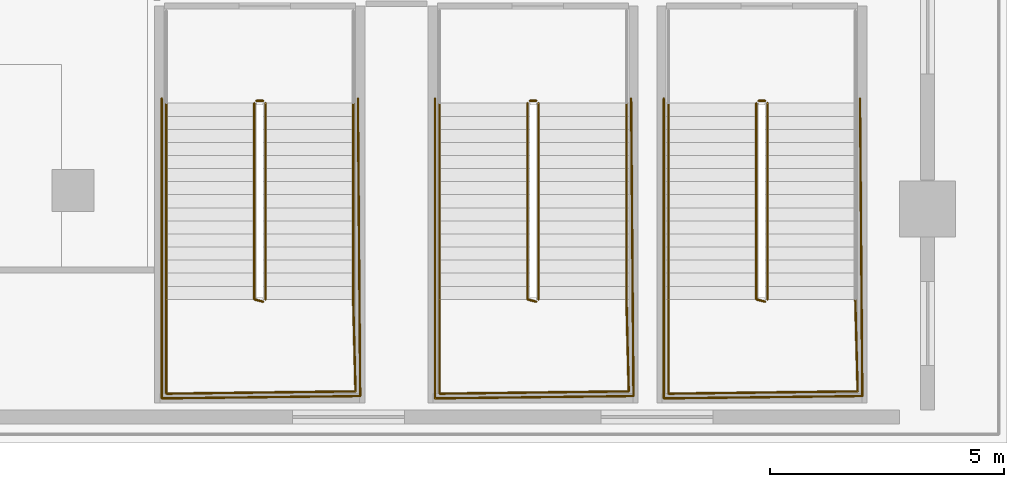
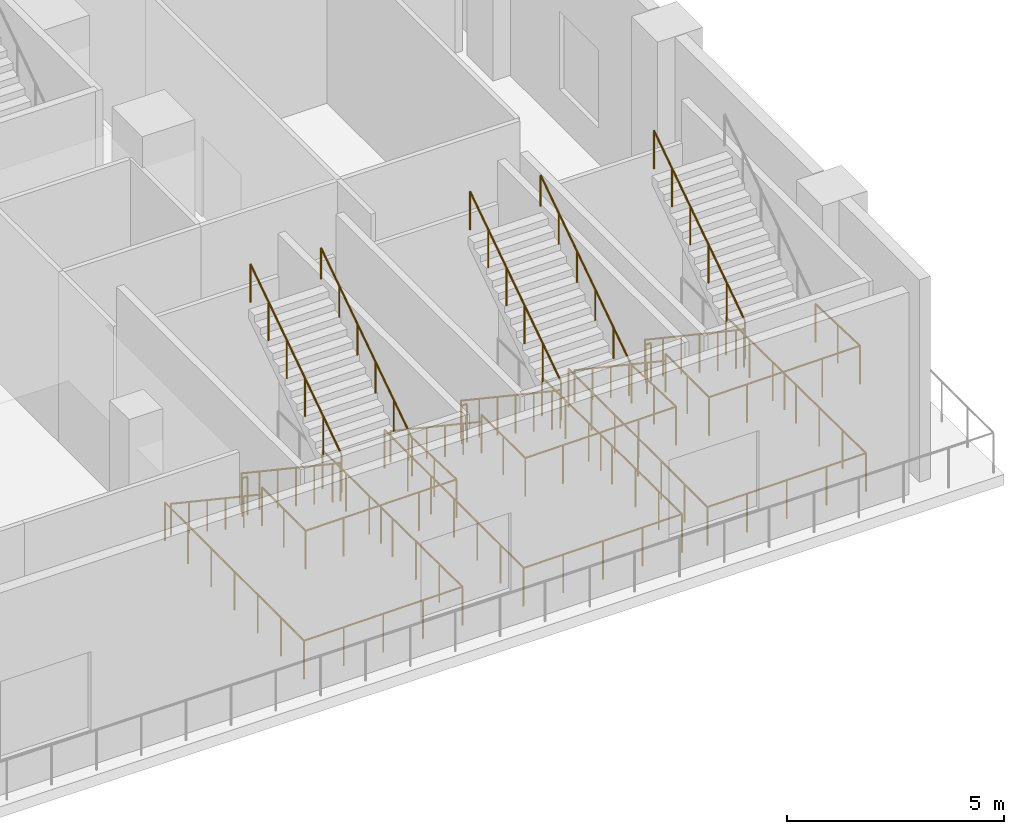
# One storey, part 25 of 29: 20 railings.
"""IFC4 building model written with IfcOpenShell, lengths in metres."""

from ifc_helpers import new_model, si_unit, direction, frame, origin, origin_2d, place, context, subcontext, project, spatial, circle, extrude, material, layer, layer_set, type_object, element, save


model = new_model("IFC4")

# Units and contexts
model_context = context("Model", 3, precision=1e-05, world=origin(), true_north=direction((0.0, 1.0)))
body_context = subcontext(model_context, "Body", "Model", "MODEL_VIEW")
ifc_project = project(units=[si_unit("LENGTHUNIT", "METRE"), si_unit("AREAUNIT", "SQUARE_METRE"), si_unit("VOLUMEUNIT", "CUBIC_METRE"), si_unit("PLANEANGLEUNIT", "RADIAN"), si_unit("MASSUNIT", "GRAM", prefix="KILO")], contexts=[model_context])

# Site, building, storey
site_placement = place(None, origin())
site = spatial("IfcSite", under=ifc_project, at=site_placement, CompositionType="ELEMENT")
building_placement = place(site_placement, origin())
building = spatial("IfcBuilding", under=site, at=building_placement, Name="Ndaravel Arena Tower", CompositionType="ELEMENT")
storey_placement = place(building_placement, frame((0.0, 0.0, 12.0)))
storey = spatial("IfcBuildingStorey", under=building, at=storey_placement, Name="L02", CompositionType="ELEMENT", Elevation=12.0)

# Railings
ifc_material_1 = material(Name="Steel S355", Category="steel")
ifc_layer_1 = layer(ifc_material_1, 0.06005859375)
ifc_layer_set_1 = layer_set([ifc_layer_1], Name="Steel S355")
railing_type_1 = type_object("IfcRailingType", Name="RAIL-STAIR-GD1100", PredefinedType="GUARDRAIL", material=ifc_layer_set_1)
railing_1_placement = place(storey_placement, frame((67.8798828125, 7.27001953125, 0.1875)))
element("IfcRailing", 1, at=railing_1_placement, inside=storey, type_object=railing_type_1, Name="L02 ST-A04 stair guard 1", PredefinedType="GUARDRAIL", context=body_context, shape_type="SweptSolid", body=[
    extrude(circle(Radius=0.02392578125, at=origin_2d()), frame((0.0, 0.0, 1.076171875), z_axis=(0.0, -0.830904186295, 0.556415522067), x_axis=(1.0, 0.0, 0.0)), (0.0, 0.0, 1.0), 5.0546875),
    extrude(circle(Radius=0.02392578125, at=origin_2d()), frame((0.0, -4.199951171875, 3.888671875), z_axis=(0.967074537263, -0.25449329928, 0.0), x_axis=(0.25449329928, 0.967074537263, 0.0)), (0.0, 0.0, 1.0), 0.19677734375),
    extrude(circle(Radius=0.02099609375, at=origin_2d()), origin(), (0.0, 0.0, 1.0), 1.052001953125),
    extrude(circle(Radius=0.02099609375, at=origin_2d()), frame((0.0, -0.840087890625, 0.5625)), (0.0, 0.0, 1.0), 1.052001953125),
    extrude(circle(Radius=0.02099609375, at=origin_2d()), frame((0.0, -1.679931640625, 1.125)), (0.0, 0.0, 1.0), 1.052001953125),
    extrude(circle(Radius=0.02099609375, at=origin_2d()), frame((0.0, -2.52001953125, 1.6875)), (0.0, 0.0, 1.0), 1.052001953125),
    extrude(circle(Radius=0.02099609375, at=origin_2d()), frame((0.0, -3.35986328125, 2.25)), (0.0, 0.0, 1.0), 1.052001953125),
    extrude(circle(Radius=0.02099609375, at=origin_2d()), frame((0.0, -4.199951171875, 2.8125)), (0.0, 0.0, 1.0), 1.052001953125),
    extrude(circle(Radius=0.02099609375, at=origin_2d()), frame((0.190185546875, -4.25, 2.8125)), (0.0, 0.0, 1.0), 1.052001953125),
])
railing_2_placement = place(storey_placement, frame((66.0, 3.070068359375, 3.0)))
element("IfcRailing", 2, at=railing_2_placement, inside=storey, type_object=railing_type_1, Name="L02 ST-A04 stair guard 2", PredefinedType="GUARDRAIL", context=body_context, shape_type="SweptSolid", body=[
    extrude(circle(Radius=0.02392578125, at=origin_2d()), frame((0.0, 0.0, 1.076171875), z_axis=(0.0, -1.0, 0.0), x_axis=(1.0, 0.0, 0.0)), (0.0, 0.0, 1.0), 2.02001953125),
    extrude(circle(Radius=0.02392578125, at=origin_2d()), frame((0.0, -2.02001953125, 1.076171875), z_axis=(0.999923653774, 0.012356642897, 0.0), x_axis=(-0.012356642897, 0.999923653774, 0.0)), (0.0, 0.0, 1.0), 4.05029296875),
    extrude(circle(Radius=0.02392578125, at=origin_2d()), frame((4.050048828125, -1.969970703125, 1.076171875), z_axis=(-0.025397679083, 0.999677426922, 0.0), x_axis=(-0.999677426922, -0.025397679083, 0.0)), (0.0, 0.0, 1.0), 1.970703125),
    extrude(circle(Radius=0.02099609375, at=origin_2d()), origin(), (0.0, 0.0, 1.0), 1.052001953125),
    extrude(circle(Radius=0.02099609375, at=origin_2d()), frame((0.0, -1.010009765625, 0.0)), (0.0, 0.0, 1.0), 1.052001953125),
    extrude(circle(Radius=0.02099609375, at=origin_2d()), frame((0.0, -2.02001953125, 0.0)), (0.0, 0.0, 1.0), 1.052001953125),
    extrude(circle(Radius=0.02099609375, at=origin_2d()), frame((1.012451171875, -2.007568359375, 0.0)), (0.0, 0.0, 1.0), 1.052001953125),
    extrude(circle(Radius=0.02099609375, at=origin_2d()), frame((2.02490234375, -1.9951171875, 0.0)), (0.0, 0.0, 1.0), 1.052001953125),
    extrude(circle(Radius=0.02099609375, at=origin_2d()), frame((3.03759765625, -1.982421875, 0.0)), (0.0, 0.0, 1.0), 1.052001953125),
    extrude(circle(Radius=0.02099609375, at=origin_2d()), frame((4.050048828125, -1.969970703125, 0.0)), (0.0, 0.0, 1.0), 1.052001953125),
    extrude(circle(Radius=0.02099609375, at=origin_2d()), frame((4.02490234375, -0.98486328125, 0.0)), (0.0, 0.0, 1.0), 1.052001953125),
    extrude(circle(Radius=0.02099609375, at=origin_2d()), frame((4.0, 0.0, 0.0)), (0.0, 0.0, 1.0), 1.052001953125),
])
railing_3_placement = place(storey_placement, frame((68.1201171875, 3.070068359375, 3.1875)))
element("IfcRailing", 3, at=railing_3_placement, inside=storey, type_object=railing_type_1, Name="L02 ST-A04 stair guard 3", PredefinedType="GUARDRAIL", context=body_context, shape_type="SweptSolid", body=[
    extrude(circle(Radius=0.02392578125, at=origin_2d()), frame((0.0, 0.0, 1.076171875), z_axis=(0.0, 0.830904186295, 0.556415522067), x_axis=(-1.0, 0.0, 0.0)), (0.0, 0.0, 1.0), 5.0546875),
    extrude(circle(Radius=0.02099609375, at=origin_2d()), origin(), (0.0, 0.0, 1.0), 1.052001953125),
    extrude(circle(Radius=0.02099609375, at=origin_2d()), frame((0.0, 0.840087890625, 0.5625)), (0.0, 0.0, 1.0), 1.052001953125),
    extrude(circle(Radius=0.02099609375, at=origin_2d()), frame((0.0, 1.679931640625, 1.125)), (0.0, 0.0, 1.0), 1.052001953125),
    extrude(circle(Radius=0.02099609375, at=origin_2d()), frame((0.0, 2.52001953125, 1.6875)), (0.0, 0.0, 1.0), 1.052001953125),
    extrude(circle(Radius=0.02099609375, at=origin_2d()), frame((0.0, 3.35986328125, 2.25)), (0.0, 0.0, 1.0), 1.052001953125),
    extrude(circle(Radius=0.02099609375, at=origin_2d()), frame((0.0, 4.199951171875, 2.8125)), (0.0, 0.0, 1.0), 1.052001953125),
])
railing_4_placement = place(storey_placement, frame((67.929931640625, 7.320068359375, 0.0)))
element("IfcRailing", 4, at=railing_4_placement, inside=storey, type_object=railing_type_1, Name="L02 ST-A04 stair guard 4", PredefinedType="GUARDRAIL", context=body_context, shape_type="SweptSolid", body=[
    extrude(circle(Radius=0.02392578125, at=origin_2d()), frame((0.0, 0.0, 1.076171875), z_axis=(1.0, 0.0, 0.0), x_axis=(0.0, 1.0, 0.0)), (0.0, 0.0, 1.0), 0.14013671875),
    extrude(circle(Radius=0.02099609375, at=origin_2d()), origin(), (0.0, 0.0, 1.0), 1.052001953125),
    extrude(circle(Radius=0.02099609375, at=origin_2d()), frame((0.14013671875, 0.0, 0.0)), (0.0, 0.0, 1.0), 1.052001953125),
])
railing_5_placement = place(storey_placement, frame((65.89990234375, 7.3701171875, 0.0)))
element("IfcRailing", 5, at=railing_5_placement, inside=storey, type_object=railing_type_1, Name="L02 ST-A04 stair guard 7", PredefinedType="GUARDRAIL", context=body_context, shape_type="SweptSolid", body=[
    extrude(circle(Radius=0.02392578125, at=origin_2d()), frame((0.0, 0.0, 1.076171875), z_axis=(0.0, -1.0, 0.0), x_axis=(1.0, 0.0, 0.0)), (0.0, 0.0, 1.0), 6.420166015625),
    extrude(circle(Radius=0.02392578125, at=origin_2d()), frame((0.0, -6.420166015625, 1.076171875), z_axis=(0.999930667828, 0.011775378384, 0.0), x_axis=(-0.011775378384, 0.999930667828, 0.0)), (0.0, 0.0, 1.0), 4.250244140625),
    extrude(circle(Radius=0.02392578125, at=origin_2d()), frame((4.25, -6.3701171875, 1.076171875), z_axis=(-0.007818249469, 0.999969437021, 0.0), x_axis=(-0.999969437021, -0.007818249469, 0.0)), (0.0, 0.0, 1.0), 6.370361328125),
    extrude(circle(Radius=0.02099609375, at=origin_2d()), origin(), (0.0, 0.0, 1.0), 1.052001953125),
    extrude(circle(Radius=0.02099609375, at=origin_2d()), frame((0.0, -1.070068359375, 0.0)), (0.0, 0.0, 1.0), 1.052001953125),
    extrude(circle(Radius=0.02099609375, at=origin_2d()), frame((0.0, -2.14013671875, 0.0)), (0.0, 0.0, 1.0), 1.052001953125),
    extrude(circle(Radius=0.02099609375, at=origin_2d()), frame((0.0, -3.2099609375, 0.0)), (0.0, 0.0, 1.0), 1.052001953125),
    extrude(circle(Radius=0.02099609375, at=origin_2d()), frame((0.0, -4.280029296875, 0.0)), (0.0, 0.0, 1.0), 1.052001953125),
    extrude(circle(Radius=0.02099609375, at=origin_2d()), frame((0.0, -5.35009765625, 0.0)), (0.0, 0.0, 1.0), 1.052001953125),
    extrude(circle(Radius=0.02099609375, at=origin_2d()), frame((0.0, -6.420166015625, 0.0)), (0.0, 0.0, 1.0), 1.052001953125),
    extrude(circle(Radius=0.02099609375, at=origin_2d()), frame((1.0625, -6.40771484375, 0.0)), (0.0, 0.0, 1.0), 1.052001953125),
    extrude(circle(Radius=0.02099609375, at=origin_2d()), frame((2.125, -6.39501953125, 0.0)), (0.0, 0.0, 1.0), 1.052001953125),
    extrude(circle(Radius=0.02099609375, at=origin_2d()), frame((3.1875, -6.382568359375, 0.0)), (0.0, 0.0, 1.0), 1.052001953125),
    extrude(circle(Radius=0.02099609375, at=origin_2d()), frame((4.25, -6.3701171875, 0.0)), (0.0, 0.0, 1.0), 1.052001953125),
    extrude(circle(Radius=0.02099609375, at=origin_2d()), frame((4.24169921875, -5.308349609375, 0.0)), (0.0, 0.0, 1.0), 1.052001953125),
    extrude(circle(Radius=0.02099609375, at=origin_2d()), frame((4.2333984375, -4.246826171875, 0.0)), (0.0, 0.0, 1.0), 1.052001953125),
    extrude(circle(Radius=0.02099609375, at=origin_2d()), frame((4.22509765625, -3.18505859375, 0.0)), (0.0, 0.0, 1.0), 1.052001953125),
    extrude(circle(Radius=0.02099609375, at=origin_2d()), frame((4.216796875, -2.123291015625, 0.0)), (0.0, 0.0, 1.0), 1.052001953125),
    extrude(circle(Radius=0.02099609375, at=origin_2d()), frame((4.20849609375, -1.061767578125, 0.0)), (0.0, 0.0, 1.0), 1.052001953125),
    extrude(circle(Radius=0.02099609375, at=origin_2d()), frame((4.2001953125, 0.0, 0.0)), (0.0, 0.0, 1.0), 1.052001953125),
])
railing_6_placement = place(storey_placement, frame((73.72998046875, 7.27001953125, 0.1875)))
element("IfcRailing", 6, at=railing_6_placement, inside=storey, type_object=railing_type_1, Name="L02 ST-A05 stair guard 1", PredefinedType="GUARDRAIL", context=body_context, shape_type="SweptSolid", body=[
    extrude(circle(Radius=0.02392578125, at=origin_2d()), frame((0.0, 0.0, 1.076171875), z_axis=(0.0, -0.830904186295, 0.556415522067), x_axis=(1.0, 0.0, 0.0)), (0.0, 0.0, 1.0), 5.0546875),
    extrude(circle(Radius=0.02392578125, at=origin_2d()), frame((0.0, -4.199951171875, 3.888671875), z_axis=(0.966993988697, -0.254799187253, 0.0), x_axis=(0.254799187253, 0.966993988697, 0.0)), (0.0, 0.0, 1.0), 0.196533203125),
    extrude(circle(Radius=0.02099609375, at=origin_2d()), origin(), (0.0, 0.0, 1.0), 1.052001953125),
    extrude(circle(Radius=0.02099609375, at=origin_2d()), frame((0.0, -0.840087890625, 0.5625)), (0.0, 0.0, 1.0), 1.052001953125),
    extrude(circle(Radius=0.02099609375, at=origin_2d()), frame((0.0, -1.679931640625, 1.125)), (0.0, 0.0, 1.0), 1.052001953125),
    extrude(circle(Radius=0.02099609375, at=origin_2d()), frame((0.0, -2.52001953125, 1.6875)), (0.0, 0.0, 1.0), 1.052001953125),
    extrude(circle(Radius=0.02099609375, at=origin_2d()), frame((0.0, -3.35986328125, 2.25)), (0.0, 0.0, 1.0), 1.052001953125),
    extrude(circle(Radius=0.02099609375, at=origin_2d()), frame((0.0, -4.199951171875, 2.8125)), (0.0, 0.0, 1.0), 1.052001953125),
    extrude(circle(Radius=0.02099609375, at=origin_2d()), frame((0.18994140625, -4.25, 2.8125)), (0.0, 0.0, 1.0), 1.052001953125),
])
railing_7_placement = place(storey_placement, frame((71.85009765625, 3.070068359375, 3.0)))
element("IfcRailing", 7, at=railing_7_placement, inside=storey, type_object=railing_type_1, Name="L02 ST-A05 stair guard 2", PredefinedType="GUARDRAIL", context=body_context, shape_type="SweptSolid", body=[
    extrude(circle(Radius=0.02392578125, at=origin_2d()), frame((0.0, 0.0, 1.076171875), z_axis=(0.0, -1.0, 0.0), x_axis=(1.0, 0.0, 0.0)), (0.0, 0.0, 1.0), 2.02001953125),
    extrude(circle(Radius=0.02392578125, at=origin_2d()), frame((0.0, -2.02001953125, 1.076171875), z_axis=(0.99992364457, 0.012357387698, 0.0), x_axis=(-0.012357387698, 0.99992364457, 0.0)), (0.0, 0.0, 1.0), 4.050048828125),
    extrude(circle(Radius=0.02392578125, at=origin_2d()), frame((4.0498046875, -1.969970703125, 1.076171875), z_axis=(-0.025273867297, 0.999680564797, 0.0), x_axis=(-0.999680564797, -0.025273867297, 0.0)), (0.0, 0.0, 1.0), 1.970703125),
    extrude(circle(Radius=0.02099609375, at=origin_2d()), origin(), (0.0, 0.0, 1.0), 1.052001953125),
    extrude(circle(Radius=0.02099609375, at=origin_2d()), frame((0.0, -1.010009765625, 0.0)), (0.0, 0.0, 1.0), 1.052001953125),
    extrude(circle(Radius=0.02099609375, at=origin_2d()), frame((0.0, -2.02001953125, 0.0)), (0.0, 0.0, 1.0), 1.052001953125),
    extrude(circle(Radius=0.02099609375, at=origin_2d()), frame((1.012451171875, -2.007568359375, 0.0)), (0.0, 0.0, 1.0), 1.052001953125),
    extrude(circle(Radius=0.02099609375, at=origin_2d()), frame((2.02490234375, -1.9951171875, 0.0)), (0.0, 0.0, 1.0), 1.052001953125),
    extrude(circle(Radius=0.02099609375, at=origin_2d()), frame((3.037353515625, -1.982421875, 0.0)), (0.0, 0.0, 1.0), 1.052001953125),
    extrude(circle(Radius=0.02099609375, at=origin_2d()), frame((4.0498046875, -1.969970703125, 0.0)), (0.0, 0.0, 1.0), 1.052001953125),
    extrude(circle(Radius=0.02099609375, at=origin_2d()), frame((4.02490234375, -0.98486328125, 0.0)), (0.0, 0.0, 1.0), 1.052001953125),
    extrude(circle(Radius=0.02099609375, at=origin_2d()), frame((4.0, 0.0, 0.0)), (0.0, 0.0, 1.0), 1.052001953125),
])
railing_8_placement = place(storey_placement, frame((73.969970703125, 3.070068359375, 3.1875)))
element("IfcRailing", 8, at=railing_8_placement, inside=storey, type_object=railing_type_1, Name="L02 ST-A05 stair guard 3", PredefinedType="GUARDRAIL", context=body_context, shape_type="SweptSolid", body=[
    extrude(circle(Radius=0.02392578125, at=origin_2d()), frame((0.0, 0.0, 1.076171875), z_axis=(0.0, 0.830904186295, 0.556415522067), x_axis=(-1.0, 0.0, 0.0)), (0.0, 0.0, 1.0), 5.0546875),
    extrude(circle(Radius=0.02099609375, at=origin_2d()), origin(), (0.0, 0.0, 1.0), 1.052001953125),
    extrude(circle(Radius=0.02099609375, at=origin_2d()), frame((0.0, 0.840087890625, 0.5625)), (0.0, 0.0, 1.0), 1.052001953125),
    extrude(circle(Radius=0.02099609375, at=origin_2d()), frame((0.0, 1.679931640625, 1.125)), (0.0, 0.0, 1.0), 1.052001953125),
    extrude(circle(Radius=0.02099609375, at=origin_2d()), frame((0.0, 2.52001953125, 1.6875)), (0.0, 0.0, 1.0), 1.052001953125),
    extrude(circle(Radius=0.02099609375, at=origin_2d()), frame((0.0, 3.35986328125, 2.25)), (0.0, 0.0, 1.0), 1.052001953125),
    extrude(circle(Radius=0.02099609375, at=origin_2d()), frame((0.0, 4.199951171875, 2.8125)), (0.0, 0.0, 1.0), 1.052001953125),
])
railing_9_placement = place(storey_placement, frame((73.780029296875, 7.320068359375, 0.0)))
element("IfcRailing", 9, at=railing_9_placement, inside=storey, type_object=railing_type_1, Name="L02 ST-A05 stair guard 4", PredefinedType="GUARDRAIL", context=body_context, shape_type="SweptSolid", body=[
    extrude(circle(Radius=0.02392578125, at=origin_2d()), frame((0.0, 0.0, 1.076171875), z_axis=(1.0, 0.0, 0.0), x_axis=(0.0, 1.0, 0.0)), (0.0, 0.0, 1.0), 0.139892578125),
    extrude(circle(Radius=0.02099609375, at=origin_2d()), origin(), (0.0, 0.0, 1.0), 1.052001953125),
    extrude(circle(Radius=0.02099609375, at=origin_2d()), frame((0.139892578125, 0.0, 0.0)), (0.0, 0.0, 1.0), 1.052001953125),
])
railing_10_placement = place(storey_placement, frame((71.75, 7.3701171875, 0.0)))
element("IfcRailing", 10, at=railing_10_placement, inside=storey, type_object=railing_type_1, Name="L02 ST-A05 stair guard 7", PredefinedType="GUARDRAIL", context=body_context, shape_type="SweptSolid", body=[
    extrude(circle(Radius=0.02392578125, at=origin_2d()), frame((0.0, 0.0, 1.076171875), z_axis=(0.0, -1.0, 0.0), x_axis=(1.0, 0.0, 0.0)), (0.0, 0.0, 1.0), 6.420166015625),
    extrude(circle(Radius=0.02392578125, at=origin_2d()), frame((0.0, -6.420166015625, 1.076171875), z_axis=(0.999930667828, 0.011775378384, 0.0), x_axis=(-0.011775378384, 0.999930667828, 0.0)), (0.0, 0.0, 1.0), 4.250244140625),
    extrude(circle(Radius=0.02392578125, at=origin_2d()), frame((4.25, -6.3701171875, 1.076171875), z_axis=(-0.007856571862, 0.999969136663, 0.0), x_axis=(-0.999969136663, -0.007856571862, 0.0)), (0.0, 0.0, 1.0), 6.370361328125),
    extrude(circle(Radius=0.02099609375, at=origin_2d()), origin(), (0.0, 0.0, 1.0), 1.052001953125),
    extrude(circle(Radius=0.02099609375, at=origin_2d()), frame((0.0, -1.070068359375, 0.0)), (0.0, 0.0, 1.0), 1.052001953125),
    extrude(circle(Radius=0.02099609375, at=origin_2d()), frame((0.0, -2.14013671875, 0.0)), (0.0, 0.0, 1.0), 1.052001953125),
    extrude(circle(Radius=0.02099609375, at=origin_2d()), frame((0.0, -3.2099609375, 0.0)), (0.0, 0.0, 1.0), 1.052001953125),
    extrude(circle(Radius=0.02099609375, at=origin_2d()), frame((0.0, -4.280029296875, 0.0)), (0.0, 0.0, 1.0), 1.052001953125),
    extrude(circle(Radius=0.02099609375, at=origin_2d()), frame((0.0, -5.35009765625, 0.0)), (0.0, 0.0, 1.0), 1.052001953125),
    extrude(circle(Radius=0.02099609375, at=origin_2d()), frame((0.0, -6.420166015625, 0.0)), (0.0, 0.0, 1.0), 1.052001953125),
    extrude(circle(Radius=0.02099609375, at=origin_2d()), frame((1.0625, -6.40771484375, 0.0)), (0.0, 0.0, 1.0), 1.052001953125),
    extrude(circle(Radius=0.02099609375, at=origin_2d()), frame((2.125, -6.39501953125, 0.0)), (0.0, 0.0, 1.0), 1.052001953125),
    extrude(circle(Radius=0.02099609375, at=origin_2d()), frame((3.1875, -6.382568359375, 0.0)), (0.0, 0.0, 1.0), 1.052001953125),
    extrude(circle(Radius=0.02099609375, at=origin_2d()), frame((4.25, -6.3701171875, 0.0)), (0.0, 0.0, 1.0), 1.052001953125),
    extrude(circle(Radius=0.02099609375, at=origin_2d()), frame((4.24169921875, -5.308349609375, 0.0)), (0.0, 0.0, 1.0), 1.052001953125),
    extrude(circle(Radius=0.02099609375, at=origin_2d()), frame((4.2333984375, -4.246826171875, 0.0)), (0.0, 0.0, 1.0), 1.052001953125),
    extrude(circle(Radius=0.02099609375, at=origin_2d()), frame((4.22509765625, -3.18505859375, 0.0)), (0.0, 0.0, 1.0), 1.052001953125),
    extrude(circle(Radius=0.02099609375, at=origin_2d()), frame((4.216552734375, -2.123291015625, 0.0)), (0.0, 0.0, 1.0), 1.052001953125),
    extrude(circle(Radius=0.02099609375, at=origin_2d()), frame((4.208251953125, -1.061767578125, 0.0)), (0.0, 0.0, 1.0), 1.052001953125),
    extrude(circle(Radius=0.02099609375, at=origin_2d()), frame((4.199951171875, 0.0, 0.0)), (0.0, 0.0, 1.0), 1.052001953125),
])
railing_11_placement = place(storey_placement, frame((78.6298828125, 7.27001953125, 0.1875)))
element("IfcRailing", 11, at=railing_11_placement, inside=storey, type_object=railing_type_1, Name="L02 ST-A06 stair guard 1", PredefinedType="GUARDRAIL", context=body_context, shape_type="SweptSolid", body=[
    extrude(circle(Radius=0.02392578125, at=origin_2d()), frame((0.0, 0.0, 1.076171875), z_axis=(0.0, -0.830904186295, 0.556415522067), x_axis=(1.0, 0.0, 0.0)), (0.0, 0.0, 1.0), 5.0546875),
    extrude(circle(Radius=0.02392578125, at=origin_2d()), frame((0.0, -4.199951171875, 3.888671875), z_axis=(0.967074537263, -0.25449329928, 0.0), x_axis=(0.25449329928, 0.967074537263, 0.0)), (0.0, 0.0, 1.0), 0.19677734375),
    extrude(circle(Radius=0.02099609375, at=origin_2d()), origin(), (0.0, 0.0, 1.0), 1.052001953125),
    extrude(circle(Radius=0.02099609375, at=origin_2d()), frame((0.0, -0.840087890625, 0.5625)), (0.0, 0.0, 1.0), 1.052001953125),
    extrude(circle(Radius=0.02099609375, at=origin_2d()), frame((0.0, -1.679931640625, 1.125)), (0.0, 0.0, 1.0), 1.052001953125),
    extrude(circle(Radius=0.02099609375, at=origin_2d()), frame((0.0, -2.52001953125, 1.6875)), (0.0, 0.0, 1.0), 1.052001953125),
    extrude(circle(Radius=0.02099609375, at=origin_2d()), frame((0.0, -3.35986328125, 2.25)), (0.0, 0.0, 1.0), 1.052001953125),
    extrude(circle(Radius=0.02099609375, at=origin_2d()), frame((0.0, -4.199951171875, 2.8125)), (0.0, 0.0, 1.0), 1.052001953125),
    extrude(circle(Radius=0.02099609375, at=origin_2d()), frame((0.190185546875, -4.25, 2.8125)), (0.0, 0.0, 1.0), 1.052001953125),
])
railing_12_placement = place(storey_placement, frame((76.75, 3.070068359375, 3.0)))
element("IfcRailing", 12, at=railing_12_placement, inside=storey, type_object=railing_type_1, Name="L02 ST-A06 stair guard 2", PredefinedType="GUARDRAIL", context=body_context, shape_type="SweptSolid", body=[
    extrude(circle(Radius=0.02392578125, at=origin_2d()), frame((0.0, 0.0, 1.076171875), z_axis=(0.0, -1.0, 0.0), x_axis=(1.0, 0.0, 0.0)), (0.0, 0.0, 1.0), 2.02001953125),
    extrude(circle(Radius=0.02392578125, at=origin_2d()), frame((0.0, -2.02001953125, 1.076171875), z_axis=(0.999923653774, 0.012356642897, 0.0), x_axis=(-0.012356642897, 0.999923653774, 0.0)), (0.0, 0.0, 1.0), 4.05029296875),
    extrude(circle(Radius=0.02392578125, at=origin_2d()), frame((4.050048828125, -1.969970703125, 1.076171875), z_axis=(-0.025397679083, 0.999677426922, 0.0), x_axis=(-0.999677426922, -0.025397679083, 0.0)), (0.0, 0.0, 1.0), 1.970703125),
    extrude(circle(Radius=0.02099609375, at=origin_2d()), origin(), (0.0, 0.0, 1.0), 1.052001953125),
    extrude(circle(Radius=0.02099609375, at=origin_2d()), frame((0.0, -1.010009765625, 0.0)), (0.0, 0.0, 1.0), 1.052001953125),
    extrude(circle(Radius=0.02099609375, at=origin_2d()), frame((0.0, -2.02001953125, 0.0)), (0.0, 0.0, 1.0), 1.052001953125),
    extrude(circle(Radius=0.02099609375, at=origin_2d()), frame((1.012451171875, -2.007568359375, 0.0)), (0.0, 0.0, 1.0), 1.052001953125),
    extrude(circle(Radius=0.02099609375, at=origin_2d()), frame((2.02490234375, -1.9951171875, 0.0)), (0.0, 0.0, 1.0), 1.052001953125),
    extrude(circle(Radius=0.02099609375, at=origin_2d()), frame((3.03759765625, -1.982421875, 0.0)), (0.0, 0.0, 1.0), 1.052001953125),
    extrude(circle(Radius=0.02099609375, at=origin_2d()), frame((4.050048828125, -1.969970703125, 0.0)), (0.0, 0.0, 1.0), 1.052001953125),
    extrude(circle(Radius=0.02099609375, at=origin_2d()), frame((4.02490234375, -0.98486328125, 0.0)), (0.0, 0.0, 1.0), 1.052001953125),
    extrude(circle(Radius=0.02099609375, at=origin_2d()), frame((4.0, 0.0, 0.0)), (0.0, 0.0, 1.0), 1.052001953125),
])
railing_13_placement = place(storey_placement, frame((78.8701171875, 3.070068359375, 3.1875)))
element("IfcRailing", 13, at=railing_13_placement, inside=storey, type_object=railing_type_1, Name="L02 ST-A06 stair guard 3", PredefinedType="GUARDRAIL", context=body_context, shape_type="SweptSolid", body=[
    extrude(circle(Radius=0.02392578125, at=origin_2d()), frame((0.0, 0.0, 1.076171875), z_axis=(0.0, 0.830904186295, 0.556415522067), x_axis=(-1.0, 0.0, 0.0)), (0.0, 0.0, 1.0), 5.0546875),
    extrude(circle(Radius=0.02099609375, at=origin_2d()), origin(), (0.0, 0.0, 1.0), 1.052001953125),
    extrude(circle(Radius=0.02099609375, at=origin_2d()), frame((0.0, 0.840087890625, 0.5625)), (0.0, 0.0, 1.0), 1.052001953125),
    extrude(circle(Radius=0.02099609375, at=origin_2d()), frame((0.0, 1.679931640625, 1.125)), (0.0, 0.0, 1.0), 1.052001953125),
    extrude(circle(Radius=0.02099609375, at=origin_2d()), frame((0.0, 2.52001953125, 1.6875)), (0.0, 0.0, 1.0), 1.052001953125),
    extrude(circle(Radius=0.02099609375, at=origin_2d()), frame((0.0, 3.35986328125, 2.25)), (0.0, 0.0, 1.0), 1.052001953125),
    extrude(circle(Radius=0.02099609375, at=origin_2d()), frame((0.0, 4.199951171875, 2.8125)), (0.0, 0.0, 1.0), 1.052001953125),
])
railing_14_placement = place(storey_placement, frame((78.679931640625, 7.320068359375, 0.0)))
element("IfcRailing", 14, at=railing_14_placement, inside=storey, type_object=railing_type_1, Name="L02 ST-A06 stair guard 4", PredefinedType="GUARDRAIL", context=body_context, shape_type="SweptSolid", body=[
    extrude(circle(Radius=0.02392578125, at=origin_2d()), frame((0.0, 0.0, 1.076171875), z_axis=(1.0, 0.0, 0.0), x_axis=(0.0, 1.0, 0.0)), (0.0, 0.0, 1.0), 0.14013671875),
    extrude(circle(Radius=0.02099609375, at=origin_2d()), origin(), (0.0, 0.0, 1.0), 1.052001953125),
    extrude(circle(Radius=0.02099609375, at=origin_2d()), frame((0.14013671875, 0.0, 0.0)), (0.0, 0.0, 1.0), 1.052001953125),
])
railing_15_placement = place(storey_placement, frame((76.64990234375, 7.3701171875, 0.0)))
element("IfcRailing", 15, at=railing_15_placement, inside=storey, type_object=railing_type_1, Name="L02 ST-A06 stair guard 7", PredefinedType="GUARDRAIL", context=body_context, shape_type="SweptSolid", body=[
    extrude(circle(Radius=0.02392578125, at=origin_2d()), frame((0.0, 0.0, 1.076171875), z_axis=(0.0, -1.0, 0.0), x_axis=(1.0, 0.0, 0.0)), (0.0, 0.0, 1.0), 6.420166015625),
    extrude(circle(Radius=0.02392578125, at=origin_2d()), frame((0.0, -6.420166015625, 1.076171875), z_axis=(0.999930667828, 0.011775378384, 0.0), x_axis=(-0.011775378384, 0.999930667828, 0.0)), (0.0, 0.0, 1.0), 4.250244140625),
    extrude(circle(Radius=0.02392578125, at=origin_2d()), frame((4.25, -6.3701171875, 1.076171875), z_axis=(-0.007818249469, 0.999969437021, 0.0), x_axis=(-0.999969437021, -0.007818249469, 0.0)), (0.0, 0.0, 1.0), 6.370361328125),
    extrude(circle(Radius=0.02099609375, at=origin_2d()), origin(), (0.0, 0.0, 1.0), 1.052001953125),
    extrude(circle(Radius=0.02099609375, at=origin_2d()), frame((0.0, -1.070068359375, 0.0)), (0.0, 0.0, 1.0), 1.052001953125),
    extrude(circle(Radius=0.02099609375, at=origin_2d()), frame((0.0, -2.14013671875, 0.0)), (0.0, 0.0, 1.0), 1.052001953125),
    extrude(circle(Radius=0.02099609375, at=origin_2d()), frame((0.0, -3.2099609375, 0.0)), (0.0, 0.0, 1.0), 1.052001953125),
    extrude(circle(Radius=0.02099609375, at=origin_2d()), frame((0.0, -4.280029296875, 0.0)), (0.0, 0.0, 1.0), 1.052001953125),
    extrude(circle(Radius=0.02099609375, at=origin_2d()), frame((0.0, -5.35009765625, 0.0)), (0.0, 0.0, 1.0), 1.052001953125),
    extrude(circle(Radius=0.02099609375, at=origin_2d()), frame((0.0, -6.420166015625, 0.0)), (0.0, 0.0, 1.0), 1.052001953125),
    extrude(circle(Radius=0.02099609375, at=origin_2d()), frame((1.0625, -6.40771484375, 0.0)), (0.0, 0.0, 1.0), 1.052001953125),
    extrude(circle(Radius=0.02099609375, at=origin_2d()), frame((2.125, -6.39501953125, 0.0)), (0.0, 0.0, 1.0), 1.052001953125),
    extrude(circle(Radius=0.02099609375, at=origin_2d()), frame((3.1875, -6.382568359375, 0.0)), (0.0, 0.0, 1.0), 1.052001953125),
    extrude(circle(Radius=0.02099609375, at=origin_2d()), frame((4.25, -6.3701171875, 0.0)), (0.0, 0.0, 1.0), 1.052001953125),
    extrude(circle(Radius=0.02099609375, at=origin_2d()), frame((4.24169921875, -5.308349609375, 0.0)), (0.0, 0.0, 1.0), 1.052001953125),
    extrude(circle(Radius=0.02099609375, at=origin_2d()), frame((4.2333984375, -4.246826171875, 0.0)), (0.0, 0.0, 1.0), 1.052001953125),
    extrude(circle(Radius=0.02099609375, at=origin_2d()), frame((4.22509765625, -3.18505859375, 0.0)), (0.0, 0.0, 1.0), 1.052001953125),
    extrude(circle(Radius=0.02099609375, at=origin_2d()), frame((4.216796875, -2.123291015625, 0.0)), (0.0, 0.0, 1.0), 1.052001953125),
    extrude(circle(Radius=0.02099609375, at=origin_2d()), frame((4.20849609375, -1.061767578125, 0.0)), (0.0, 0.0, 1.0), 1.052001953125),
    extrude(circle(Radius=0.02099609375, at=origin_2d()), frame((4.2001953125, 0.0, 0.0)), (0.0, 0.0, 1.0), 1.052001953125),
])
ifc_material_2 = material(Name="Steel S355", Category="steel")
ifc_layer_2 = layer(ifc_material_2, 0.050048828125)
ifc_layer_set_2 = layer_set([ifc_layer_2], Name="Steel S355")
railing_type_2 = type_object("IfcRailingType", Name="RAIL-STAIR-HR920", PredefinedType="HANDRAIL", material=ifc_layer_set_2)
railing_16_placement = place(storey_placement, frame((66.0, 7.27001953125, 0.1875)))
element("IfcRailing", 16, at=railing_16_placement, inside=storey, type_object=railing_type_2, Name="L02 ST-A04 stair handrail 1", PredefinedType="HANDRAIL", context=body_context, shape_type="SweptSolid", body=[
    extrude(circle(Radius=0.02392578125, at=origin_2d()), frame((0.0, 0.0, 0.8759765625), z_axis=(0.0, -0.830904186295, 0.556415522067), x_axis=(1.0, 0.0, 0.0)), (0.0, 0.0, 1.0), 5.0546875),
    extrude(circle(Radius=0.02099609375, at=origin_2d()), origin(), (0.0, 0.0, 1.0), 0.851806640625),
    extrude(circle(Radius=0.02099609375, at=origin_2d()), frame((0.0, -0.840087890625, 0.5625)), (0.0, 0.0, 1.0), 0.851806640625),
    extrude(circle(Radius=0.02099609375, at=origin_2d()), frame((0.0, -1.679931640625, 1.125)), (0.0, 0.0, 1.0), 0.851806640625),
    extrude(circle(Radius=0.02099609375, at=origin_2d()), frame((0.0, -2.52001953125, 1.6875)), (0.0, 0.0, 1.0), 0.851806640625),
    extrude(circle(Radius=0.02099609375, at=origin_2d()), frame((0.0, -3.35986328125, 2.25)), (0.0, 0.0, 1.0), 0.851806640625),
    extrude(circle(Radius=0.02099609375, at=origin_2d()), frame((0.0, -4.199951171875, 2.8125)), (0.0, 0.0, 1.0), 0.851806640625),
])
railing_17_placement = place(storey_placement, frame((70.0, 3.070068359375, 3.1875)))
element("IfcRailing", 17, at=railing_17_placement, inside=storey, type_object=railing_type_2, Name="L02 ST-A04 stair handrail 2", PredefinedType="HANDRAIL", context=body_context, shape_type="SweptSolid", body=[
    extrude(circle(Radius=0.02392578125, at=origin_2d()), frame((0.0, 0.0, 0.8759765625), z_axis=(0.0, 0.830904186295, 0.556415522067), x_axis=(-1.0, 0.0, 0.0)), (0.0, 0.0, 1.0), 5.0546875),
    extrude(circle(Radius=0.02099609375, at=origin_2d()), origin(), (0.0, 0.0, 1.0), 0.851806640625),
    extrude(circle(Radius=0.02099609375, at=origin_2d()), frame((0.0, 0.840087890625, 0.5625)), (0.0, 0.0, 1.0), 0.851806640625),
    extrude(circle(Radius=0.02099609375, at=origin_2d()), frame((0.0, 1.679931640625, 1.125)), (0.0, 0.0, 1.0), 0.851806640625),
    extrude(circle(Radius=0.02099609375, at=origin_2d()), frame((0.0, 2.52001953125, 1.6875)), (0.0, 0.0, 1.0), 0.851806640625),
    extrude(circle(Radius=0.02099609375, at=origin_2d()), frame((0.0, 3.35986328125, 2.25)), (0.0, 0.0, 1.0), 0.851806640625),
    extrude(circle(Radius=0.02099609375, at=origin_2d()), frame((0.0, 4.199951171875, 2.8125)), (0.0, 0.0, 1.0), 0.851806640625),
])
railing_18_placement = place(storey_placement, frame((71.85009765625, 7.27001953125, 0.1875)))
element("IfcRailing", 18, at=railing_18_placement, inside=storey, type_object=railing_type_2, Name="L02 ST-A05 stair handrail 1", PredefinedType="HANDRAIL", context=body_context, shape_type="SweptSolid", body=[
    extrude(circle(Radius=0.02392578125, at=origin_2d()), frame((0.0, 0.0, 0.8759765625), z_axis=(0.0, -0.830904186295, 0.556415522067), x_axis=(1.0, 0.0, 0.0)), (0.0, 0.0, 1.0), 5.0546875),
    extrude(circle(Radius=0.02099609375, at=origin_2d()), origin(), (0.0, 0.0, 1.0), 0.851806640625),
    extrude(circle(Radius=0.02099609375, at=origin_2d()), frame((0.0, -0.840087890625, 0.5625)), (0.0, 0.0, 1.0), 0.851806640625),
    extrude(circle(Radius=0.02099609375, at=origin_2d()), frame((0.0, -1.679931640625, 1.125)), (0.0, 0.0, 1.0), 0.851806640625),
    extrude(circle(Radius=0.02099609375, at=origin_2d()), frame((0.0, -2.52001953125, 1.6875)), (0.0, 0.0, 1.0), 0.851806640625),
    extrude(circle(Radius=0.02099609375, at=origin_2d()), frame((0.0, -3.35986328125, 2.25)), (0.0, 0.0, 1.0), 0.851806640625),
    extrude(circle(Radius=0.02099609375, at=origin_2d()), frame((0.0, -4.199951171875, 2.8125)), (0.0, 0.0, 1.0), 0.851806640625),
])
railing_19_placement = place(storey_placement, frame((75.85009765625, 3.070068359375, 3.1875)))
element("IfcRailing", 19, at=railing_19_placement, inside=storey, type_object=railing_type_2, Name="L02 ST-A05 stair handrail 2", PredefinedType="HANDRAIL", context=body_context, shape_type="SweptSolid", body=[
    extrude(circle(Radius=0.02392578125, at=origin_2d()), frame((0.0, 0.0, 0.8759765625), z_axis=(0.0, 0.830904186295, 0.556415522067), x_axis=(-1.0, 0.0, 0.0)), (0.0, 0.0, 1.0), 5.0546875),
    extrude(circle(Radius=0.02099609375, at=origin_2d()), origin(), (0.0, 0.0, 1.0), 0.851806640625),
    extrude(circle(Radius=0.02099609375, at=origin_2d()), frame((0.0, 0.840087890625, 0.5625)), (0.0, 0.0, 1.0), 0.851806640625),
    extrude(circle(Radius=0.02099609375, at=origin_2d()), frame((0.0, 1.679931640625, 1.125)), (0.0, 0.0, 1.0), 0.851806640625),
    extrude(circle(Radius=0.02099609375, at=origin_2d()), frame((0.0, 2.52001953125, 1.6875)), (0.0, 0.0, 1.0), 0.851806640625),
    extrude(circle(Radius=0.02099609375, at=origin_2d()), frame((0.0, 3.35986328125, 2.25)), (0.0, 0.0, 1.0), 0.851806640625),
    extrude(circle(Radius=0.02099609375, at=origin_2d()), frame((0.0, 4.199951171875, 2.8125)), (0.0, 0.0, 1.0), 0.851806640625),
])
railing_20_placement = place(storey_placement, frame((76.75, 7.27001953125, 0.1875)))
element("IfcRailing", 20, at=railing_20_placement, inside=storey, type_object=railing_type_2, Name="L02 ST-A06 stair handrail 1", PredefinedType="HANDRAIL", context=body_context, shape_type="SweptSolid", body=[
    extrude(circle(Radius=0.02392578125, at=origin_2d()), frame((0.0, 0.0, 0.8759765625), z_axis=(0.0, -0.830904186295, 0.556415522067), x_axis=(1.0, 0.0, 0.0)), (0.0, 0.0, 1.0), 5.0546875),
    extrude(circle(Radius=0.02099609375, at=origin_2d()), origin(), (0.0, 0.0, 1.0), 0.851806640625),
    extrude(circle(Radius=0.02099609375, at=origin_2d()), frame((0.0, -0.840087890625, 0.5625)), (0.0, 0.0, 1.0), 0.851806640625),
    extrude(circle(Radius=0.02099609375, at=origin_2d()), frame((0.0, -1.679931640625, 1.125)), (0.0, 0.0, 1.0), 0.851806640625),
    extrude(circle(Radius=0.02099609375, at=origin_2d()), frame((0.0, -2.52001953125, 1.6875)), (0.0, 0.0, 1.0), 0.851806640625),
    extrude(circle(Radius=0.02099609375, at=origin_2d()), frame((0.0, -3.35986328125, 2.25)), (0.0, 0.0, 1.0), 0.851806640625),
    extrude(circle(Radius=0.02099609375, at=origin_2d()), frame((0.0, -4.199951171875, 2.8125)), (0.0, 0.0, 1.0), 0.851806640625),
])

save(model, "model.ifc")
